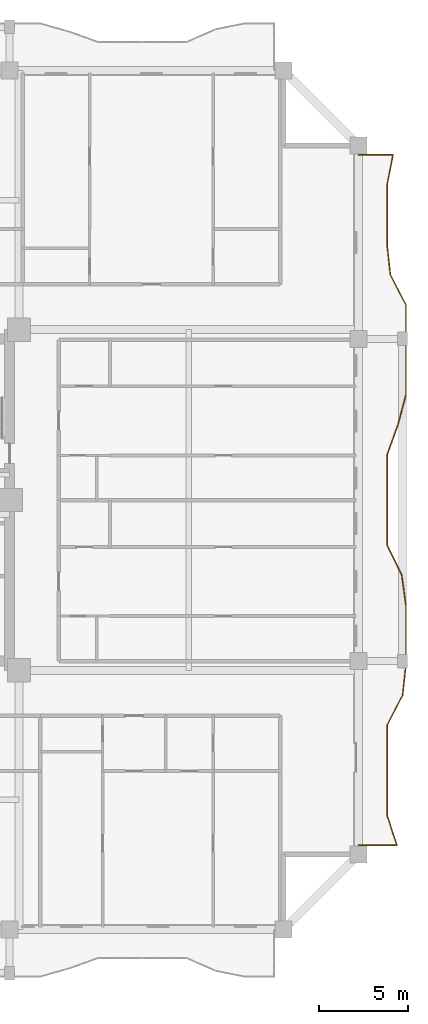
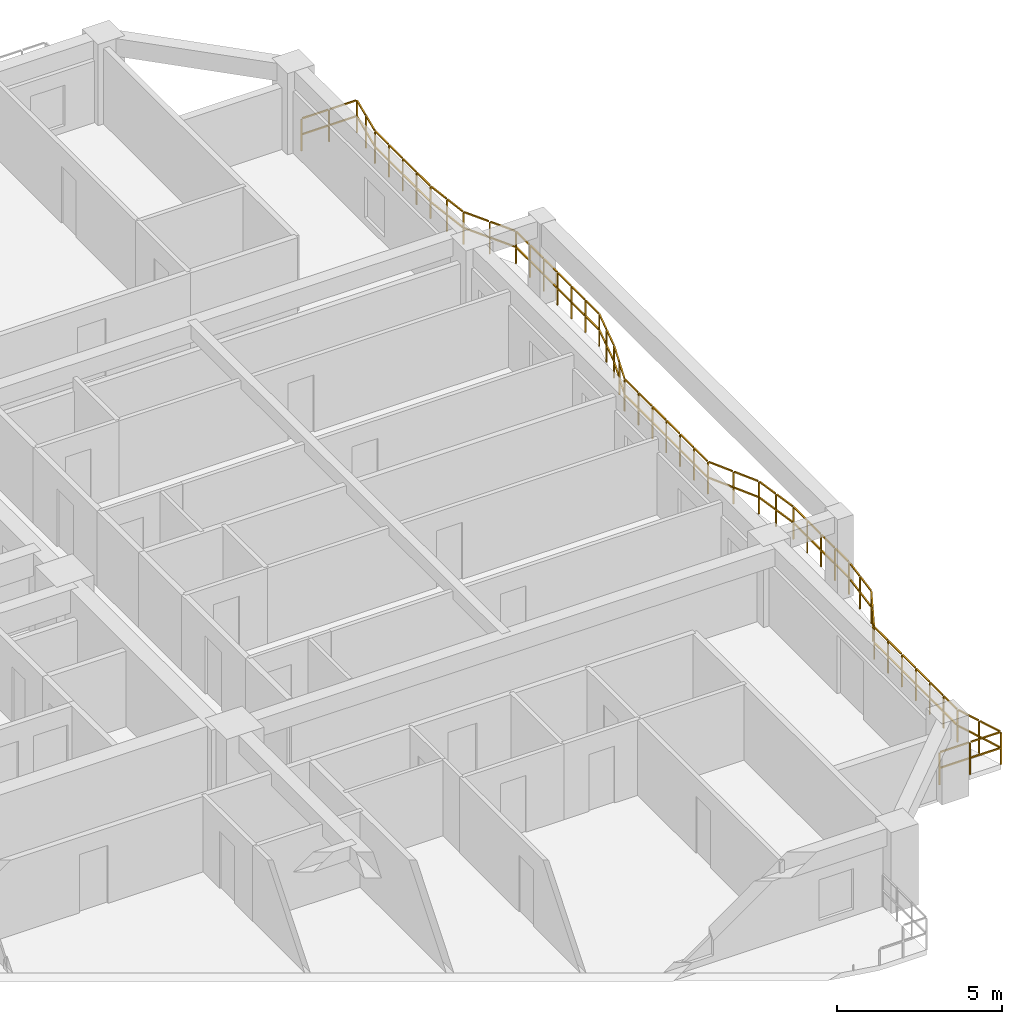
# One storey, part 14 of 15: 1 railing.
"""IFC4 building model written with IfcOpenShell, lengths in metres."""

from ifc_helpers import new_model, si_unit, direction, frame, origin, origin_2d, place, context, subcontext, project, spatial, rectangle, extrude, material, type_object, element, save


model = new_model("IFC4")

# Units and contexts
model_context = context("Model", 3, precision=1e-05, world=origin(), true_north=direction((0.0, 1.0)))
body_context = subcontext(model_context, "Body", "Model", "MODEL_VIEW")
ifc_project = project(units=[si_unit("LENGTHUNIT", "METRE"), si_unit("AREAUNIT", "SQUARE_METRE"), si_unit("VOLUMEUNIT", "CUBIC_METRE"), si_unit("PLANEANGLEUNIT", "RADIAN"), si_unit("MASSUNIT", "GRAM", prefix="KILO")], contexts=[model_context])

# Site, building, storey
site_placement = place(None, origin())
site = spatial("IfcSite", under=ifc_project, at=site_placement, CompositionType="ELEMENT")
building_placement = place(site_placement, origin())
building = spatial("IfcBuilding", under=site, at=building_placement, Name="Saelheon Loggia Tower", CompositionType="ELEMENT")
storey_placement = place(building_placement, frame((0.0, 0.0, 77.85009765625)))
storey = spatial("IfcBuildingStorey", under=building, at=storey_placement, Name="L24", CompositionType="ELEMENT", Elevation=77.85009765625)

# Railing
ifc_material = material(Name="Architectural Precast Concrete and Laminated Glass Guard", Category="concrete")
railing_type = type_object("IfcRailingType", Name="Guard_Loggia_RL_LOG", PredefinedType="BALUSTRADE", material=ifc_material)
railing_placement = place(storey_placement, frame((64.0, 7.699951171875, 0.0)))
element("IfcRailing", 1, at=railing_placement, inside=storey, type_object=railing_type, Name="L24 East Loggia Balustrade", PredefinedType="BALUSTRADE", context=body_context, shape_type="SweptSolid", body=[
    extrude(rectangle(XDim=0.048095703125, YDim=0.048095703125, at=origin_2d()), frame((0.033203125, 0.0, 1.19580078125), z_axis=(1.0, 0.0, 0.0), x_axis=(0.0, 1.0, 0.0)), (0.0, 0.0, 1.0), 1.008544921875),
    extrude(rectangle(XDim=0.048095703125, YDim=0.048095703125, at=origin_2d()), frame((0.033203125, 0.0, 0.60986328125), z_axis=(1.0, 0.0, 0.0), x_axis=(0.0, 1.0, 0.0)), (0.0, 0.0, 1.0), 1.008544921875),
    extrude(rectangle(XDim=0.048095703125, YDim=0.048095703125, at=origin_2d()), frame((1.108154296875, 0.0, 1.19580078125), z_axis=(1.0, 0.0, 0.0), x_axis=(0.0, 1.0, 0.0)), (0.0, 0.0, 1.0), 1.008544921875),
    extrude(rectangle(XDim=0.048095703125, YDim=0.048095703125, at=origin_2d()), frame((1.108154296875, 0.0, 0.60986328125), z_axis=(1.0, 0.0, 0.0), x_axis=(0.0, 1.0, 0.0)), (0.0, 0.0, 1.0), 1.008544921875),
    extrude(rectangle(XDim=0.048095703125, YDim=0.048095703125, at=origin_2d()), frame((2.1396484375, 0.031494140625, 1.19580078125), z_axis=(-0.311288759302, 0.950315373091, 0.0), x_axis=(-0.950315373091, -0.311288759302, 0.0)), (0.0, 0.0, 1.0), 0.816650390625),
    extrude(rectangle(XDim=0.048095703125, YDim=0.048095703125, at=origin_2d()), frame((2.1396484375, 0.031494140625, 0.60986328125), z_axis=(-0.311288759302, 0.950315373091, 0.0), x_axis=(-0.950315373091, -0.311288759302, 0.0)), (0.0, 0.0, 1.0), 0.816650390625),
    extrude(rectangle(XDim=0.048095703125, YDim=0.048095703125, at=origin_2d()), frame((1.86474609375, 0.870849609375, 1.19580078125), z_axis=(-0.311288759302, 0.950315373091, 0.0), x_axis=(-0.950315373091, -0.311288759302, 0.0)), (0.0, 0.0, 1.0), 0.816650390625),
    extrude(rectangle(XDim=0.048095703125, YDim=0.048095703125, at=origin_2d()), frame((1.86474609375, 0.870849609375, 0.60986328125), z_axis=(-0.311288759302, 0.950315373091, 0.0), x_axis=(-0.950315373091, -0.311288759302, 0.0)), (0.0, 0.0, 1.0), 0.816650390625),
    extrude(rectangle(XDim=0.048095703125, YDim=0.048095703125, at=origin_2d()), frame((1.60009765625, 1.711669921875, 1.19580078125), z_axis=(0.0, 1.0, 0.0), x_axis=(-1.0, 0.0, 0.0)), (0.0, 0.0, 1.0), 0.7724609375),
    extrude(rectangle(XDim=0.048095703125, YDim=0.048095703125, at=origin_2d()), frame((1.60009765625, 1.711669921875, 0.60986328125), z_axis=(0.0, 1.0, 0.0), x_axis=(-1.0, 0.0, 0.0)), (0.0, 0.0, 1.0), 0.7724609375),
    extrude(rectangle(XDim=0.048095703125, YDim=0.048095703125, at=origin_2d()), frame((1.60009765625, 2.55078125, 1.19580078125), z_axis=(0.0, 1.0, 0.0), x_axis=(-1.0, 0.0, 0.0)), (0.0, 0.0, 1.0), 0.7724609375),
    extrude(rectangle(XDim=0.048095703125, YDim=0.048095703125, at=origin_2d()), frame((1.60009765625, 2.55078125, 0.60986328125), z_axis=(0.0, 1.0, 0.0), x_axis=(-1.0, 0.0, 0.0)), (0.0, 0.0, 1.0), 0.7724609375),
    extrude(rectangle(XDim=0.048095703125, YDim=0.048095703125, at=origin_2d()), frame((1.60009765625, 3.3896484375, 1.19580078125), z_axis=(0.0, 1.0, 0.0), x_axis=(-1.0, 0.0, 0.0)), (0.0, 0.0, 1.0), 0.772705078125),
    extrude(rectangle(XDim=0.048095703125, YDim=0.048095703125, at=origin_2d()), frame((1.60009765625, 3.3896484375, 0.60986328125), z_axis=(0.0, 1.0, 0.0), x_axis=(-1.0, 0.0, 0.0)), (0.0, 0.0, 1.0), 0.772705078125),
    extrude(rectangle(XDim=0.048095703125, YDim=0.048095703125, at=origin_2d()), frame((1.60009765625, 4.22900390625, 1.19580078125), z_axis=(0.0, 1.0, 0.0), x_axis=(-1.0, 0.0, 0.0)), (0.0, 0.0, 1.0), 0.772705078125),
    extrude(rectangle(XDim=0.048095703125, YDim=0.048095703125, at=origin_2d()), frame((1.60009765625, 4.22900390625, 0.60986328125), z_axis=(0.0, 1.0, 0.0), x_axis=(-1.0, 0.0, 0.0)), (0.0, 0.0, 1.0), 0.772705078125),
    extrude(rectangle(XDim=0.048095703125, YDim=0.048095703125, at=origin_2d()), frame((1.60009765625, 5.068115234375, 1.19580078125), z_axis=(0.0, 1.0, 0.0), x_axis=(-1.0, 0.0, 0.0)), (0.0, 0.0, 1.0), 0.772705078125),
    extrude(rectangle(XDim=0.048095703125, YDim=0.048095703125, at=origin_2d()), frame((1.60009765625, 5.068115234375, 0.60986328125), z_axis=(0.0, 1.0, 0.0), x_axis=(-1.0, 0.0, 0.0)), (0.0, 0.0, 1.0), 0.772705078125),
    extrude(rectangle(XDim=0.048095703125, YDim=0.048095703125, at=origin_2d()), frame((1.60009765625, 5.9072265625, 1.19580078125), z_axis=(0.0, 1.0, 0.0), x_axis=(-1.0, 0.0, 0.0)), (0.0, 0.0, 1.0), 0.772705078125),
    extrude(rectangle(XDim=0.048095703125, YDim=0.048095703125, at=origin_2d()), frame((1.60009765625, 5.9072265625, 0.60986328125), z_axis=(0.0, 1.0, 0.0), x_axis=(-1.0, 0.0, 0.0)), (0.0, 0.0, 1.0), 0.772705078125),
    extrude(rectangle(XDim=0.048095703125, YDim=0.048095703125, at=origin_2d()), frame((1.615478515625, 6.74267578125, 1.19580078125), z_axis=(0.459574052733, 0.888139454171, 0.0), x_axis=(-0.888139454171, 0.459574052733, 0.0)), (0.0, 0.0, 1.0), 0.87841796875),
    extrude(rectangle(XDim=0.048095703125, YDim=0.048095703125, at=origin_2d()), frame((1.615478515625, 6.74267578125, 0.60986328125), z_axis=(0.459574052733, 0.888139454171, 0.0), x_axis=(-0.888139454171, 0.459574052733, 0.0)), (0.0, 0.0, 1.0), 0.87841796875),
    extrude(rectangle(XDim=0.048095703125, YDim=0.048095703125, at=origin_2d()), frame((2.049560546875, 7.581787109375, 1.19580078125), z_axis=(0.459574052733, 0.888139454171, 0.0), x_axis=(-0.888139454171, 0.459574052733, 0.0)), (0.0, 0.0, 1.0), 0.87841796875),
    extrude(rectangle(XDim=0.048095703125, YDim=0.048095703125, at=origin_2d()), frame((2.049560546875, 7.581787109375, 0.60986328125), z_axis=(0.459574052733, 0.888139454171, 0.0), x_axis=(-0.888139454171, 0.459574052733, 0.0)), (0.0, 0.0, 1.0), 0.87841796875),
    extrude(rectangle(XDim=0.048095703125, YDim=0.048095703125, at=origin_2d()), frame((2.47216796875, 8.42431640625, 1.19580078125), z_axis=(0.107462523714, 0.994209135945, 0.0), x_axis=(-0.994209135945, 0.107462523714, 0.0)), (0.0, 0.0, 1.0), 0.777587890625),
    extrude(rectangle(XDim=0.048095703125, YDim=0.048095703125, at=origin_2d()), frame((2.47216796875, 8.42431640625, 0.60986328125), z_axis=(0.107462523714, 0.994209135945, 0.0), x_axis=(-0.994209135945, 0.107462523714, 0.0)), (0.0, 0.0, 1.0), 0.777587890625),
    extrude(rectangle(XDim=0.048095703125, YDim=0.048095703125, at=origin_2d()), frame((2.562744140625, 9.263427734375, 1.19580078125), z_axis=(0.107462523714, 0.994209135945, 0.0), x_axis=(-0.994209135945, 0.107462523714, 0.0)), (0.0, 0.0, 1.0), 0.777587890625),
    extrude(rectangle(XDim=0.048095703125, YDim=0.048095703125, at=origin_2d()), frame((2.562744140625, 9.263427734375, 0.60986328125), z_axis=(0.107462523714, 0.994209135945, 0.0), x_axis=(-0.994209135945, 0.107462523714, 0.0)), (0.0, 0.0, 1.0), 0.777587890625),
    extrude(rectangle(XDim=0.048095703125, YDim=0.048095703125, at=origin_2d()), frame((2.64990234375, 10.102783203125, 1.19580078125), z_axis=(0.0, 1.0, 0.0), x_axis=(-1.0, 0.0, 0.0)), (0.0, 0.0, 1.0), 0.772705078125),
    extrude(rectangle(XDim=0.048095703125, YDim=0.048095703125, at=origin_2d()), frame((2.64990234375, 10.102783203125, 0.60986328125), z_axis=(0.0, 1.0, 0.0), x_axis=(-1.0, 0.0, 0.0)), (0.0, 0.0, 1.0), 0.772705078125),
    extrude(rectangle(XDim=0.048095703125, YDim=0.048095703125, at=origin_2d()), frame((2.64990234375, 10.94189453125, 1.19580078125), z_axis=(0.0, 1.0, 0.0), x_axis=(-1.0, 0.0, 0.0)), (0.0, 0.0, 1.0), 0.772705078125),
    extrude(rectangle(XDim=0.048095703125, YDim=0.048095703125, at=origin_2d()), frame((2.64990234375, 10.94189453125, 0.60986328125), z_axis=(0.0, 1.0, 0.0), x_axis=(-1.0, 0.0, 0.0)), (0.0, 0.0, 1.0), 0.772705078125),
    extrude(rectangle(XDim=0.048095703125, YDim=0.048095703125, at=origin_2d()), frame((2.64990234375, 11.781005859375, 1.19580078125), z_axis=(0.0, 1.0, 0.0), x_axis=(-1.0, 0.0, 0.0)), (0.0, 0.0, 1.0), 0.772705078125),
    extrude(rectangle(XDim=0.048095703125, YDim=0.048095703125, at=origin_2d()), frame((2.64990234375, 11.781005859375, 0.60986328125), z_axis=(0.0, 1.0, 0.0), x_axis=(-1.0, 0.0, 0.0)), (0.0, 0.0, 1.0), 0.772705078125),
    extrude(rectangle(XDim=0.048095703125, YDim=0.048095703125, at=origin_2d()), frame((2.64990234375, 12.620361328125, 1.19580078125), z_axis=(0.0, 1.0, 0.0), x_axis=(-1.0, 0.0, 0.0)), (0.0, 0.0, 1.0), 0.772705078125),
    extrude(rectangle(XDim=0.048095703125, YDim=0.048095703125, at=origin_2d()), frame((2.64990234375, 12.620361328125, 0.60986328125), z_axis=(0.0, 1.0, 0.0), x_axis=(-1.0, 0.0, 0.0)), (0.0, 0.0, 1.0), 0.772705078125),
    extrude(rectangle(XDim=0.048095703125, YDim=0.048095703125, at=origin_2d()), frame((2.645263671875, 13.459228515625, 1.19580078125), z_axis=(-0.13706168357, 0.990562514381, 0.0), x_axis=(-0.990562514381, -0.13706168357, 0.0)), (0.0, 0.0, 1.0), 0.780517578125),
    extrude(rectangle(XDim=0.048095703125, YDim=0.048095703125, at=origin_2d()), frame((2.645263671875, 13.459228515625, 0.60986328125), z_axis=(-0.13706168357, 0.990562514381, 0.0), x_axis=(-0.990562514381, -0.13706168357, 0.0)), (0.0, 0.0, 1.0), 0.780517578125),
    extrude(rectangle(XDim=0.048095703125, YDim=0.048095703125, at=origin_2d()), frame((2.529296875, 14.298095703125, 1.19580078125), z_axis=(-0.13706168357, 0.990562514381, 0.0), x_axis=(-0.990562514381, -0.13706168357, 0.0)), (0.0, 0.0, 1.0), 0.780517578125),
    extrude(rectangle(XDim=0.048095703125, YDim=0.048095703125, at=origin_2d()), frame((2.529296875, 14.298095703125, 0.60986328125), z_axis=(-0.13706168357, 0.990562514381, 0.0), x_axis=(-0.990562514381, -0.13706168357, 0.0)), (0.0, 0.0, 1.0), 0.780517578125),
    extrude(rectangle(XDim=0.048095703125, YDim=0.048095703125, at=origin_2d()), frame((2.403076171875, 15.134033203125, 1.19580078125), z_axis=(-0.437931485797, 0.89900835021, 0.0), x_axis=(-0.89900835021, -0.437931485797, 0.0)), (0.0, 0.0, 1.0), 0.866943359375),
    extrude(rectangle(XDim=0.048095703125, YDim=0.048095703125, at=origin_2d()), frame((2.403076171875, 15.134033203125, 0.60986328125), z_axis=(-0.437931485797, 0.89900835021, 0.0), x_axis=(-0.89900835021, -0.437931485797, 0.0)), (0.0, 0.0, 1.0), 0.866943359375),
    extrude(rectangle(XDim=0.048095703125, YDim=0.048095703125, at=origin_2d()), frame((1.994384765625, 15.973388671875, 1.19580078125), z_axis=(-0.437931485797, 0.89900835021, 0.0), x_axis=(-0.89900835021, -0.437931485797, 0.0)), (0.0, 0.0, 1.0), 0.866943359375),
    extrude(rectangle(XDim=0.048095703125, YDim=0.048095703125, at=origin_2d()), frame((1.994384765625, 15.973388671875, 0.60986328125), z_axis=(-0.437931485797, 0.89900835021, 0.0), x_axis=(-0.89900835021, -0.437931485797, 0.0)), (0.0, 0.0, 1.0), 0.866943359375),
    extrude(rectangle(XDim=0.048095703125, YDim=0.048095703125, at=origin_2d()), frame((1.60009765625, 16.81591796875, 1.19580078125), z_axis=(0.0, 1.0, 0.0), x_axis=(-1.0, 0.0, 0.0)), (0.0, 0.0, 1.0), 0.772705078125),
    extrude(rectangle(XDim=0.048095703125, YDim=0.048095703125, at=origin_2d()), frame((1.60009765625, 16.81591796875, 0.60986328125), z_axis=(0.0, 1.0, 0.0), x_axis=(-1.0, 0.0, 0.0)), (0.0, 0.0, 1.0), 0.772705078125),
    extrude(rectangle(XDim=0.048095703125, YDim=0.048095703125, at=origin_2d()), frame((1.60009765625, 17.655029296875, 1.19580078125), z_axis=(0.0, 1.0, 0.0), x_axis=(-1.0, 0.0, 0.0)), (0.0, 0.0, 1.0), 0.772705078125),
    extrude(rectangle(XDim=0.048095703125, YDim=0.048095703125, at=origin_2d()), frame((1.60009765625, 17.655029296875, 0.60986328125), z_axis=(0.0, 1.0, 0.0), x_axis=(-1.0, 0.0, 0.0)), (0.0, 0.0, 1.0), 0.772705078125),
    extrude(rectangle(XDim=0.048095703125, YDim=0.048095703125, at=origin_2d()), frame((1.60009765625, 18.494140625, 1.19580078125), z_axis=(0.0, 1.0, 0.0), x_axis=(-1.0, 0.0, 0.0)), (0.0, 0.0, 1.0), 0.772705078125),
    extrude(rectangle(XDim=0.048095703125, YDim=0.048095703125, at=origin_2d()), frame((1.60009765625, 18.494140625, 0.60986328125), z_axis=(0.0, 1.0, 0.0), x_axis=(-1.0, 0.0, 0.0)), (0.0, 0.0, 1.0), 0.772705078125),
    extrude(rectangle(XDim=0.048095703125, YDim=0.048095703125, at=origin_2d()), frame((1.60009765625, 19.333251953125, 1.19580078125), z_axis=(0.0, 1.0, 0.0), x_axis=(-1.0, 0.0, 0.0)), (0.0, 0.0, 1.0), 0.772705078125),
    extrude(rectangle(XDim=0.048095703125, YDim=0.048095703125, at=origin_2d()), frame((1.60009765625, 19.333251953125, 0.60986328125), z_axis=(0.0, 1.0, 0.0), x_axis=(-1.0, 0.0, 0.0)), (0.0, 0.0, 1.0), 0.772705078125),
    extrude(rectangle(XDim=0.048095703125, YDim=0.048095703125, at=origin_2d()), frame((1.60009765625, 20.17236328125, 1.19580078125), z_axis=(0.0, 1.0, 0.0), x_axis=(-1.0, 0.0, 0.0)), (0.0, 0.0, 1.0), 0.772705078125),
    extrude(rectangle(XDim=0.048095703125, YDim=0.048095703125, at=origin_2d()), frame((1.60009765625, 20.17236328125, 0.60986328125), z_axis=(0.0, 1.0, 0.0), x_axis=(-1.0, 0.0, 0.0)), (0.0, 0.0, 1.0), 0.772705078125),
    extrude(rectangle(XDim=0.048095703125, YDim=0.048095703125, at=origin_2d()), frame((1.60009765625, 21.011474609375, 1.19580078125), z_axis=(0.0, 1.0, 0.0), x_axis=(-1.0, 0.0, 0.0)), (0.0, 0.0, 1.0), 0.772705078125),
    extrude(rectangle(XDim=0.048095703125, YDim=0.048095703125, at=origin_2d()), frame((1.60009765625, 21.011474609375, 0.60986328125), z_axis=(0.0, 1.0, 0.0), x_axis=(-1.0, 0.0, 0.0)), (0.0, 0.0, 1.0), 0.772705078125),
    extrude(rectangle(XDim=0.048095703125, YDim=0.048095703125, at=origin_2d()), frame((1.611328125, 21.8486328125, 1.19580078125), z_axis=(0.337507079307, 0.941322989955, 0.0), x_axis=(-0.941322989955, 0.337507079307, 0.0)), (0.0, 0.0, 1.0), 0.8251953125),
    extrude(rectangle(XDim=0.048095703125, YDim=0.048095703125, at=origin_2d()), frame((1.611328125, 21.8486328125, 0.60986328125), z_axis=(0.337507079307, 0.941322989955, 0.0), x_axis=(-0.941322989955, 0.337507079307, 0.0)), (0.0, 0.0, 1.0), 0.8251953125),
    extrude(rectangle(XDim=0.048095703125, YDim=0.048095703125, at=origin_2d()), frame((1.912109375, 22.68798828125, 1.19580078125), z_axis=(0.337507079307, 0.941322989955, 0.0), x_axis=(-0.941322989955, 0.337507079307, 0.0)), (0.0, 0.0, 1.0), 0.8251953125),
    extrude(rectangle(XDim=0.048095703125, YDim=0.048095703125, at=origin_2d()), frame((1.912109375, 22.68798828125, 0.60986328125), z_axis=(0.337507079307, 0.941322989955, 0.0), x_axis=(-0.941322989955, 0.337507079307, 0.0)), (0.0, 0.0, 1.0), 0.8251953125),
    extrude(rectangle(XDim=0.048095703125, YDim=0.048095703125, at=origin_2d()), frame((2.21044921875, 23.528076171875, 1.19580078125), z_axis=(0.257951367735, 0.966157902148, 0.0), x_axis=(-0.966157902148, 0.257951367735, 0.0)), (0.0, 0.0, 1.0), 0.802001953125),
    extrude(rectangle(XDim=0.048095703125, YDim=0.048095703125, at=origin_2d()), frame((2.21044921875, 23.528076171875, 0.60986328125), z_axis=(0.257951367735, 0.966157902148, 0.0), x_axis=(-0.966157902148, 0.257951367735, 0.0)), (0.0, 0.0, 1.0), 0.802001953125),
    extrude(rectangle(XDim=0.048095703125, YDim=0.048095703125, at=origin_2d()), frame((2.4345703125, 24.366943359375, 1.19580078125), z_axis=(0.257951367735, 0.966157902148, 0.0), x_axis=(-0.966157902148, 0.257951367735, 0.0)), (0.0, 0.0, 1.0), 0.802001953125),
    extrude(rectangle(XDim=0.048095703125, YDim=0.048095703125, at=origin_2d()), frame((2.4345703125, 24.366943359375, 0.60986328125), z_axis=(0.257951367735, 0.966157902148, 0.0), x_axis=(-0.966157902148, 0.257951367735, 0.0)), (0.0, 0.0, 1.0), 0.802001953125),
    extrude(rectangle(XDim=0.048095703125, YDim=0.048095703125, at=origin_2d()), frame((2.64990234375, 25.20703125, 1.19580078125), z_axis=(0.0, 1.0, 0.0), x_axis=(-1.0, 0.0, 0.0)), (0.0, 0.0, 1.0), 0.772705078125),
    extrude(rectangle(XDim=0.048095703125, YDim=0.048095703125, at=origin_2d()), frame((2.64990234375, 25.20703125, 0.60986328125), z_axis=(0.0, 1.0, 0.0), x_axis=(-1.0, 0.0, 0.0)), (0.0, 0.0, 1.0), 0.772705078125),
    extrude(rectangle(XDim=0.048095703125, YDim=0.048095703125, at=origin_2d()), frame((2.64990234375, 26.04638671875, 1.19580078125), z_axis=(0.0, 1.0, 0.0), x_axis=(-1.0, 0.0, 0.0)), (0.0, 0.0, 1.0), 0.772705078125),
    extrude(rectangle(XDim=0.048095703125, YDim=0.048095703125, at=origin_2d()), frame((2.64990234375, 26.04638671875, 0.60986328125), z_axis=(0.0, 1.0, 0.0), x_axis=(-1.0, 0.0, 0.0)), (0.0, 0.0, 1.0), 0.772705078125),
    extrude(rectangle(XDim=0.048095703125, YDim=0.048095703125, at=origin_2d()), frame((2.64990234375, 26.885498046875, 1.19580078125), z_axis=(0.0, 1.0, 0.0), x_axis=(-1.0, 0.0, 0.0)), (0.0, 0.0, 1.0), 0.772705078125),
    extrude(rectangle(XDim=0.048095703125, YDim=0.048095703125, at=origin_2d()), frame((2.64990234375, 26.885498046875, 0.60986328125), z_axis=(0.0, 1.0, 0.0), x_axis=(-1.0, 0.0, 0.0)), (0.0, 0.0, 1.0), 0.772705078125),
    extrude(rectangle(XDim=0.048095703125, YDim=0.048095703125, at=origin_2d()), frame((2.64990234375, 27.724609375, 1.19580078125), z_axis=(0.0, 1.0, 0.0), x_axis=(-1.0, 0.0, 0.0)), (0.0, 0.0, 1.0), 0.772705078125),
    extrude(rectangle(XDim=0.048095703125, YDim=0.048095703125, at=origin_2d()), frame((2.64990234375, 27.724609375, 0.60986328125), z_axis=(0.0, 1.0, 0.0), x_axis=(-1.0, 0.0, 0.0)), (0.0, 0.0, 1.0), 0.772705078125),
    extrude(rectangle(XDim=0.048095703125, YDim=0.048095703125, at=origin_2d()), frame((2.64990234375, 28.563720703125, 1.19580078125), z_axis=(0.0, 1.0, 0.0), x_axis=(-1.0, 0.0, 0.0)), (0.0, 0.0, 1.0), 0.772705078125),
    extrude(rectangle(XDim=0.048095703125, YDim=0.048095703125, at=origin_2d()), frame((2.64990234375, 28.563720703125, 0.60986328125), z_axis=(0.0, 1.0, 0.0), x_axis=(-1.0, 0.0, 0.0)), (0.0, 0.0, 1.0), 0.772705078125),
    extrude(rectangle(XDim=0.048095703125, YDim=0.048095703125, at=origin_2d()), frame((2.64990234375, 29.40283203125, 1.19580078125), z_axis=(0.0, 1.0, 0.0), x_axis=(-1.0, 0.0, 0.0)), (0.0, 0.0, 1.0), 0.772705078125),
    extrude(rectangle(XDim=0.048095703125, YDim=0.048095703125, at=origin_2d()), frame((2.64990234375, 29.40283203125, 0.60986328125), z_axis=(0.0, 1.0, 0.0), x_axis=(-1.0, 0.0, 0.0)), (0.0, 0.0, 1.0), 0.772705078125),
    extrude(rectangle(XDim=0.048095703125, YDim=0.048095703125, at=origin_2d()), frame((2.634521484375, 30.23828125, 1.19580078125), z_axis=(-0.459675957683, 0.88808671532, 0.0), x_axis=(-0.88808671532, -0.459675957683, 0.0)), (0.0, 0.0, 1.0), 0.87841796875),
    extrude(rectangle(XDim=0.048095703125, YDim=0.048095703125, at=origin_2d()), frame((2.634521484375, 30.23828125, 0.60986328125), z_axis=(-0.459675957683, 0.88808671532, 0.0), x_axis=(-0.88808671532, -0.459675957683, 0.0)), (0.0, 0.0, 1.0), 0.87841796875),
    extrude(rectangle(XDim=0.048095703125, YDim=0.048095703125, at=origin_2d()), frame((2.2001953125, 31.077392578125, 1.19580078125), z_axis=(-0.459675957683, 0.88808671532, 0.0), x_axis=(-0.88808671532, -0.459675957683, 0.0)), (0.0, 0.0, 1.0), 0.87841796875),
    extrude(rectangle(XDim=0.048095703125, YDim=0.048095703125, at=origin_2d()), frame((2.2001953125, 31.077392578125, 0.60986328125), z_axis=(-0.459675957683, 0.88808671532, 0.0), x_axis=(-0.88808671532, -0.459675957683, 0.0)), (0.0, 0.0, 1.0), 0.87841796875),
    extrude(rectangle(XDim=0.048095703125, YDim=0.048095703125, at=origin_2d()), frame((1.777587890625, 31.919921875, 1.19580078125), z_axis=(-0.10731955736, 0.994224578558, 0.0), x_axis=(-0.994224578558, -0.10731955736, 0.0)), (0.0, 0.0, 1.0), 0.777587890625),
    extrude(rectangle(XDim=0.048095703125, YDim=0.048095703125, at=origin_2d()), frame((1.777587890625, 31.919921875, 0.60986328125), z_axis=(-0.10731955736, 0.994224578558, 0.0), x_axis=(-0.994224578558, -0.10731955736, 0.0)), (0.0, 0.0, 1.0), 0.777587890625),
    extrude(rectangle(XDim=0.048095703125, YDim=0.048095703125, at=origin_2d()), frame((1.68701171875, 32.759033203125, 1.19580078125), z_axis=(-0.10731955736, 0.994224578558, 0.0), x_axis=(-0.994224578558, -0.10731955736, 0.0)), (0.0, 0.0, 1.0), 0.777587890625),
    extrude(rectangle(XDim=0.048095703125, YDim=0.048095703125, at=origin_2d()), frame((1.68701171875, 32.759033203125, 0.60986328125), z_axis=(-0.10731955736, 0.994224578558, 0.0), x_axis=(-0.994224578558, -0.10731955736, 0.0)), (0.0, 0.0, 1.0), 0.777587890625),
    extrude(rectangle(XDim=0.048095703125, YDim=0.048095703125, at=origin_2d()), frame((1.60009765625, 33.598388671875, 1.19580078125), z_axis=(0.0, 1.0, 0.0), x_axis=(-1.0, 0.0, 0.0)), (0.0, 0.0, 1.0), 0.772705078125),
    extrude(rectangle(XDim=0.048095703125, YDim=0.048095703125, at=origin_2d()), frame((1.60009765625, 33.598388671875, 0.60986328125), z_axis=(0.0, 1.0, 0.0), x_axis=(-1.0, 0.0, 0.0)), (0.0, 0.0, 1.0), 0.772705078125),
    extrude(rectangle(XDim=0.048095703125, YDim=0.048095703125, at=origin_2d()), frame((1.60009765625, 34.437744140625, 1.19580078125), z_axis=(0.0, 1.0, 0.0), x_axis=(-1.0, 0.0, 0.0)), (0.0, 0.0, 1.0), 0.772705078125),
    extrude(rectangle(XDim=0.048095703125, YDim=0.048095703125, at=origin_2d()), frame((1.60009765625, 34.437744140625, 0.60986328125), z_axis=(0.0, 1.0, 0.0), x_axis=(-1.0, 0.0, 0.0)), (0.0, 0.0, 1.0), 0.772705078125),
    extrude(rectangle(XDim=0.048095703125, YDim=0.048095703125, at=origin_2d()), frame((1.60009765625, 35.27685546875, 1.19580078125), z_axis=(0.0, 1.0, 0.0), x_axis=(-1.0, 0.0, 0.0)), (0.0, 0.0, 1.0), 0.7724609375),
    extrude(rectangle(XDim=0.048095703125, YDim=0.048095703125, at=origin_2d()), frame((1.60009765625, 35.27685546875, 0.60986328125), z_axis=(0.0, 1.0, 0.0), x_axis=(-1.0, 0.0, 0.0)), (0.0, 0.0, 1.0), 0.7724609375),
    extrude(rectangle(XDim=0.048095703125, YDim=0.048095703125, at=origin_2d()), frame((1.60009765625, 36.115966796875, 1.19580078125), z_axis=(0.0, 1.0, 0.0), x_axis=(-1.0, 0.0, 0.0)), (0.0, 0.0, 1.0), 0.7724609375),
    extrude(rectangle(XDim=0.048095703125, YDim=0.048095703125, at=origin_2d()), frame((1.60009765625, 36.115966796875, 0.60986328125), z_axis=(0.0, 1.0, 0.0), x_axis=(-1.0, 0.0, 0.0)), (0.0, 0.0, 1.0), 0.7724609375),
    extrude(rectangle(XDim=0.048095703125, YDim=0.048095703125, at=origin_2d()), frame((1.606689453125, 36.954345703125, 1.19580078125), z_axis=(0.194744119332, 0.980854080883, 0.0), x_axis=(-0.980854080883, 0.194744119332, 0.0)), (0.0, 0.0, 1.0), 0.7890625),
    extrude(rectangle(XDim=0.048095703125, YDim=0.048095703125, at=origin_2d()), frame((1.606689453125, 36.954345703125, 0.60986328125), z_axis=(0.194744119332, 0.980854080883, 0.0), x_axis=(-0.980854080883, 0.194744119332, 0.0)), (0.0, 0.0, 1.0), 0.7890625),
    extrude(rectangle(XDim=0.048095703125, YDim=0.048095703125, at=origin_2d()), frame((1.773193359375, 37.79345703125, 1.19580078125), z_axis=(0.194744119332, 0.980854080883, 0.0), x_axis=(-0.980854080883, 0.194744119332, 0.0)), (0.0, 0.0, 1.0), 0.7890625),
    extrude(rectangle(XDim=0.048095703125, YDim=0.048095703125, at=origin_2d()), frame((1.773193359375, 37.79345703125, 0.60986328125), z_axis=(0.194744119332, 0.980854080883, 0.0), x_axis=(-0.980854080883, 0.194744119332, 0.0)), (0.0, 0.0, 1.0), 0.7890625),
    extrude(rectangle(XDim=0.048095703125, YDim=0.048095703125, at=origin_2d()), frame((1.900146484375, 38.60009765625, 1.19580078125), z_axis=(-1.0, 0.0, 0.0), x_axis=(0.0, -1.0, 0.0)), (0.0, 0.0, 1.0), 0.900146484375),
    extrude(rectangle(XDim=0.048095703125, YDim=0.048095703125, at=origin_2d()), frame((1.900146484375, 38.60009765625, 0.60986328125), z_axis=(-1.0, 0.0, 0.0), x_axis=(0.0, -1.0, 0.0)), (0.0, 0.0, 1.0), 0.900146484375),
    extrude(rectangle(XDim=0.048095703125, YDim=0.048095703125, at=origin_2d()), frame((0.933349609375, 38.60009765625, 1.19580078125), z_axis=(-1.0, 0.0, 0.0), x_axis=(0.0, -1.0, 0.0)), (0.0, 0.0, 1.0), 0.900146484375),
    extrude(rectangle(XDim=0.048095703125, YDim=0.048095703125, at=origin_2d()), frame((0.933349609375, 38.60009765625, 0.60986328125), z_axis=(-1.0, 0.0, 0.0), x_axis=(0.0, -1.0, 0.0)), (0.0, 0.0, 1.0), 0.900146484375),
    extrude(rectangle(XDim=0.0419921875, YDim=0.0419921875, at=origin_2d()), origin(), (0.0, 0.0, 1.0), 1.16796875),
    extrude(rectangle(XDim=0.0419921875, YDim=0.0419921875, at=origin_2d()), frame((1.074951171875, 0.0, 0.0)), (0.0, 0.0, 1.0), 1.16796875),
    extrude(rectangle(XDim=0.0419921875, YDim=0.0419921875, at=origin_2d()), frame((2.14990234375, 0.0, 0.0)), (0.0, 0.0, 1.0), 1.16796875),
    extrude(rectangle(XDim=0.0419921875, YDim=0.0419921875, at=origin_2d()), frame((1.875, 0.83935546875, 0.0)), (0.0, 0.0, 1.0), 1.16796875),
    extrude(rectangle(XDim=0.0419921875, YDim=0.0419921875, at=origin_2d()), frame((1.60009765625, 1.678466796875, 0.0)), (0.0, 0.0, 1.0), 1.16796875),
    extrude(rectangle(XDim=0.0419921875, YDim=0.0419921875, at=origin_2d()), frame((1.60009765625, 2.517578125, 0.0)), (0.0, 0.0, 1.0), 1.16796875),
    extrude(rectangle(XDim=0.0419921875, YDim=0.0419921875, at=origin_2d()), frame((1.60009765625, 3.3564453125, 0.0)), (0.0, 0.0, 1.0), 1.16796875),
    extrude(rectangle(XDim=0.0419921875, YDim=0.0419921875, at=origin_2d()), frame((1.60009765625, 4.19580078125, 0.0)), (0.0, 0.0, 1.0), 1.16796875),
    extrude(rectangle(XDim=0.0419921875, YDim=0.0419921875, at=origin_2d()), frame((1.60009765625, 5.034912109375, 0.0)), (0.0, 0.0, 1.0), 1.16796875),
    extrude(rectangle(XDim=0.0419921875, YDim=0.0419921875, at=origin_2d()), frame((1.60009765625, 5.8740234375, 0.0)), (0.0, 0.0, 1.0), 1.16796875),
    extrude(rectangle(XDim=0.0419921875, YDim=0.0419921875, at=origin_2d()), frame((1.60009765625, 6.713134765625, 0.0)), (0.0, 0.0, 1.0), 1.16796875),
    extrude(rectangle(XDim=0.0419921875, YDim=0.0419921875, at=origin_2d()), frame((2.0341796875, 7.55224609375, 0.0)), (0.0, 0.0, 1.0), 1.16796875),
    extrude(rectangle(XDim=0.0419921875, YDim=0.0419921875, at=origin_2d()), frame((2.468505859375, 8.391357421875, 0.0)), (0.0, 0.0, 1.0), 1.16796875),
    extrude(rectangle(XDim=0.0419921875, YDim=0.0419921875, at=origin_2d()), frame((2.55908203125, 9.23046875, 0.0)), (0.0, 0.0, 1.0), 1.16796875),
    extrude(rectangle(XDim=0.0419921875, YDim=0.0419921875, at=origin_2d()), frame((2.64990234375, 10.069580078125, 0.0)), (0.0, 0.0, 1.0), 1.16796875),
    extrude(rectangle(XDim=0.0419921875, YDim=0.0419921875, at=origin_2d()), frame((2.64990234375, 10.90869140625, 0.0)), (0.0, 0.0, 1.0), 1.16796875),
    extrude(rectangle(XDim=0.0419921875, YDim=0.0419921875, at=origin_2d()), frame((2.64990234375, 11.747802734375, 0.0)), (0.0, 0.0, 1.0), 1.16796875),
    extrude(rectangle(XDim=0.0419921875, YDim=0.0419921875, at=origin_2d()), frame((2.64990234375, 12.5869140625, 0.0)), (0.0, 0.0, 1.0), 1.16796875),
    extrude(rectangle(XDim=0.0419921875, YDim=0.0419921875, at=origin_2d()), frame((2.64990234375, 13.42626953125, 0.0)), (0.0, 0.0, 1.0), 1.16796875),
    extrude(rectangle(XDim=0.0419921875, YDim=0.0419921875, at=origin_2d()), frame((2.53369140625, 14.26513671875, 0.0)), (0.0, 0.0, 1.0), 1.16796875),
    extrude(rectangle(XDim=0.0419921875, YDim=0.0419921875, at=origin_2d()), frame((2.417724609375, 15.104248046875, 0.0)), (0.0, 0.0, 1.0), 1.16796875),
    extrude(rectangle(XDim=0.0419921875, YDim=0.0419921875, at=origin_2d()), frame((2.0087890625, 15.943359375, 0.0)), (0.0, 0.0, 1.0), 1.16796875),
    extrude(rectangle(XDim=0.0419921875, YDim=0.0419921875, at=origin_2d()), frame((1.60009765625, 16.78271484375, 0.0)), (0.0, 0.0, 1.0), 1.16796875),
    extrude(rectangle(XDim=0.0419921875, YDim=0.0419921875, at=origin_2d()), frame((1.60009765625, 17.621826171875, 0.0)), (0.0, 0.0, 1.0), 1.16796875),
    extrude(rectangle(XDim=0.0419921875, YDim=0.0419921875, at=origin_2d()), frame((1.60009765625, 18.4609375, 0.0)), (0.0, 0.0, 1.0), 1.16796875),
    extrude(rectangle(XDim=0.0419921875, YDim=0.0419921875, at=origin_2d()), frame((1.60009765625, 19.300048828125, 0.0)), (0.0, 0.0, 1.0), 1.16796875),
    extrude(rectangle(XDim=0.0419921875, YDim=0.0419921875, at=origin_2d()), frame((1.60009765625, 20.13916015625, 0.0)), (0.0, 0.0, 1.0), 1.16796875),
    extrude(rectangle(XDim=0.0419921875, YDim=0.0419921875, at=origin_2d()), frame((1.60009765625, 20.978271484375, 0.0)), (0.0, 0.0, 1.0), 1.16796875),
    extrude(rectangle(XDim=0.0419921875, YDim=0.0419921875, at=origin_2d()), frame((1.60009765625, 21.8173828125, 0.0)), (0.0, 0.0, 1.0), 1.16796875),
    extrude(rectangle(XDim=0.0419921875, YDim=0.0419921875, at=origin_2d()), frame((1.90087890625, 22.65673828125, 0.0)), (0.0, 0.0, 1.0), 1.16796875),
    extrude(rectangle(XDim=0.0419921875, YDim=0.0419921875, at=origin_2d()), frame((2.201904296875, 23.495849609375, 0.0)), (0.0, 0.0, 1.0), 1.16796875),
    extrude(rectangle(XDim=0.0419921875, YDim=0.0419921875, at=origin_2d()), frame((2.42578125, 24.3349609375, 0.0)), (0.0, 0.0, 1.0), 1.16796875),
    extrude(rectangle(XDim=0.0419921875, YDim=0.0419921875, at=origin_2d()), frame((2.64990234375, 25.173828125, 0.0)), (0.0, 0.0, 1.0), 1.16796875),
    extrude(rectangle(XDim=0.0419921875, YDim=0.0419921875, at=origin_2d()), frame((2.64990234375, 26.01318359375, 0.0)), (0.0, 0.0, 1.0), 1.16796875),
    extrude(rectangle(XDim=0.0419921875, YDim=0.0419921875, at=origin_2d()), frame((2.64990234375, 26.852294921875, 0.0)), (0.0, 0.0, 1.0), 1.16796875),
    extrude(rectangle(XDim=0.0419921875, YDim=0.0419921875, at=origin_2d()), frame((2.64990234375, 27.69140625, 0.0)), (0.0, 0.0, 1.0), 1.16796875),
    extrude(rectangle(XDim=0.0419921875, YDim=0.0419921875, at=origin_2d()), frame((2.64990234375, 28.530517578125, 0.0)), (0.0, 0.0, 1.0), 1.16796875),
    extrude(rectangle(XDim=0.0419921875, YDim=0.0419921875, at=origin_2d()), frame((2.64990234375, 29.36962890625, 0.0)), (0.0, 0.0, 1.0), 1.16796875),
    extrude(rectangle(XDim=0.0419921875, YDim=0.0419921875, at=origin_2d()), frame((2.64990234375, 30.208740234375, 0.0)), (0.0, 0.0, 1.0), 1.16796875),
    extrude(rectangle(XDim=0.0419921875, YDim=0.0419921875, at=origin_2d()), frame((2.215576171875, 31.0478515625, 0.0)), (0.0, 0.0, 1.0), 1.16796875),
    extrude(rectangle(XDim=0.0419921875, YDim=0.0419921875, at=origin_2d()), frame((1.78125, 31.886962890625, 0.0)), (0.0, 0.0, 1.0), 1.16796875),
    extrude(rectangle(XDim=0.0419921875, YDim=0.0419921875, at=origin_2d()), frame((1.690673828125, 32.72607421875, 0.0)), (0.0, 0.0, 1.0), 1.16796875),
    extrude(rectangle(XDim=0.0419921875, YDim=0.0419921875, at=origin_2d()), frame((1.60009765625, 33.565185546875, 0.0)), (0.0, 0.0, 1.0), 1.16796875),
    extrude(rectangle(XDim=0.0419921875, YDim=0.0419921875, at=origin_2d()), frame((1.60009765625, 34.404296875, 0.0)), (0.0, 0.0, 1.0), 1.16796875),
    extrude(rectangle(XDim=0.0419921875, YDim=0.0419921875, at=origin_2d()), frame((1.60009765625, 35.24365234375, 0.0)), (0.0, 0.0, 1.0), 1.16796875),
    extrude(rectangle(XDim=0.0419921875, YDim=0.0419921875, at=origin_2d()), frame((1.60009765625, 36.08251953125, 0.0)), (0.0, 0.0, 1.0), 1.16796875),
    extrude(rectangle(XDim=0.0419921875, YDim=0.0419921875, at=origin_2d()), frame((1.60009765625, 36.921630859375, 0.0)), (0.0, 0.0, 1.0), 1.16796875),
    extrude(rectangle(XDim=0.0419921875, YDim=0.0419921875, at=origin_2d()), frame((1.7666015625, 37.7607421875, 0.0)), (0.0, 0.0, 1.0), 1.16796875),
    extrude(rectangle(XDim=0.0419921875, YDim=0.0419921875, at=origin_2d()), frame((1.933349609375, 38.60009765625, 0.0)), (0.0, 0.0, 1.0), 1.16796875),
    extrude(rectangle(XDim=0.0419921875, YDim=0.0419921875, at=origin_2d()), frame((0.966796875, 38.60009765625, 0.0)), (0.0, 0.0, 1.0), 1.16796875),
    extrude(rectangle(XDim=0.0419921875, YDim=0.0419921875, at=origin_2d()), frame((0.0, 38.60009765625, 0.0)), (0.0, 0.0, 1.0), 1.16796875),
])

save(model, "model.ifc")
